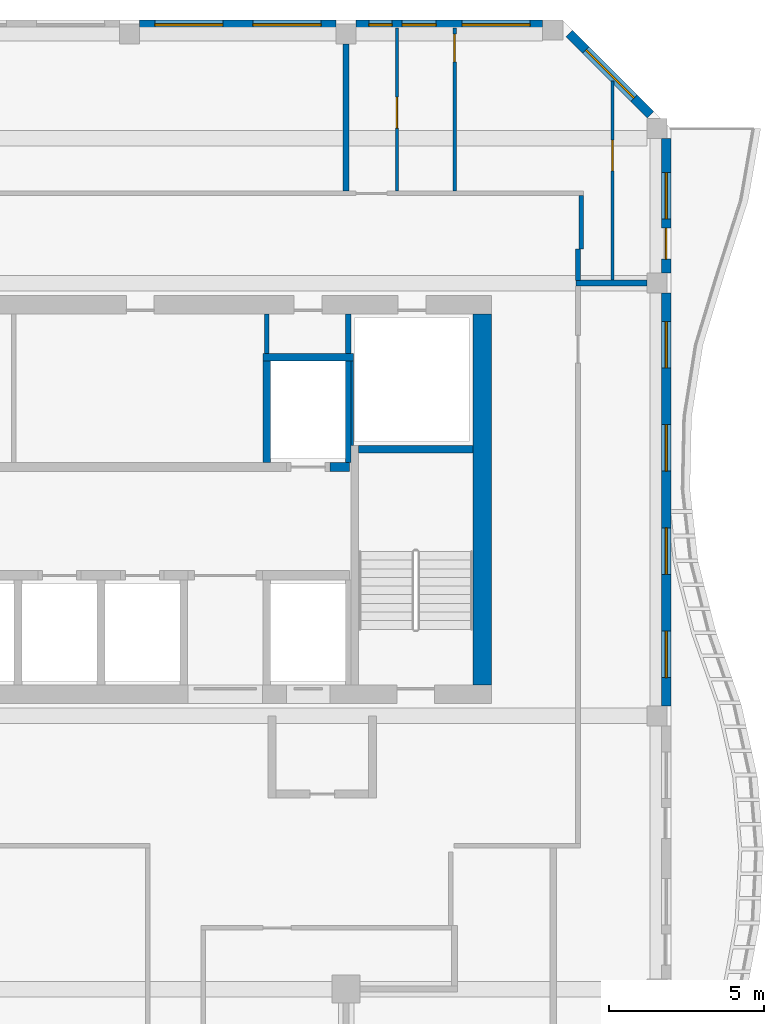
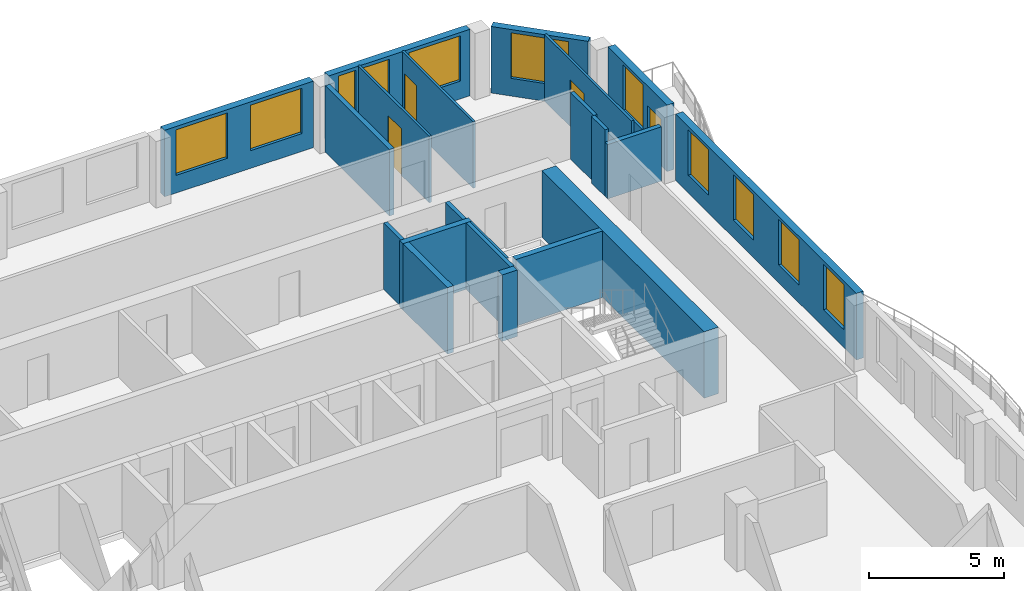
# One storey, part 8 of 13: 21 walls, 11 windows, 4 doors, 15 openings.
"""IFC4 building model written with IfcOpenShell, lengths in metres."""

from ifc_helpers import new_model, si_unit, direction, frame, frame_2d, origin, place, context, subcontext, project, spatial, rectangle, extrude, source, transform, mapped, material, layer, layer_set, type_object, element, fill, save


model = new_model("IFC4")

# Units and contexts
model_context = context("Model", 3, precision=1e-05, world=origin(), true_north=direction((0.0, 1.0)))
body_context = subcontext(model_context, "Body", "Model", "MODEL_VIEW")
ifc_project = project(units=[si_unit("LENGTHUNIT", "METRE"), si_unit("AREAUNIT", "SQUARE_METRE"), si_unit("VOLUMEUNIT", "CUBIC_METRE"), si_unit("PLANEANGLEUNIT", "RADIAN"), si_unit("MASSUNIT", "GRAM", prefix="KILO")], contexts=[model_context])

# Site, building, storey
site_placement = place(None, origin())
site = spatial("IfcSite", under=ifc_project, at=site_placement, CompositionType="ELEMENT")
building_placement = place(site_placement, origin())
building = spatial("IfcBuilding", under=site, at=building_placement, Name="Kilnfold Tower and Market Hall", CompositionType="ELEMENT")
storey_placement = place(building_placement, frame((0.0, 0.0, 287.39990234375)))
storey = spatial("IfcBuildingStorey", under=building, at=storey_placement, Name="L71", CompositionType="ELEMENT", Elevation=287.39990234375)

# Walls
ifc_material_1 = material(Name="Gypsum board on steel studs", Category="steel")
ifc_layer_1 = layer(ifc_material_1, 0.14990234375)
ifc_layer_set_1 = layer_set([ifc_layer_1], Name="Gypsum board on steel studs")
wall_type_1 = type_object("IfcWallType", Name="WALL CORRIDOR 150", PredefinedType="PARTITIONING", material=ifc_layer_set_1)
wall_1_placement = place(storey_placement, frame((20.60009765625, 23.10009765625, 0.0), z_axis=(0.0, 0.0, 1.0), x_axis=(0.0, 1.0, 0.0)))
element("IfcWall", 1, at=wall_1_placement, inside=storey, type_object=wall_type_1, Name="Partition LY43.18", PredefinedType="PARTITIONING", context=body_context, shape_type="SweptSolid", body=[
    extrude(rectangle(XDim=1.724853515625, YDim=0.14990234375, at=frame_2d((0.8623046875, 0.0))), origin(), (0.0, 0.0, 1.0), 3.0),
])
wall_2_placement = place(storey_placement, frame((20.5, 22.090087890625, 0.0), z_axis=(0.0, 0.0, 1.0), x_axis=(0.0, 1.0, 0.0)))
element("IfcWall", 2, at=wall_2_placement, inside=storey, type_object=wall_type_1, Name="Partition LY43.19", PredefinedType="PARTITIONING", context=body_context, shape_type="SweptSolid", body=[
    extrude(rectangle(XDim=1.010009765625, YDim=0.14990234375, at=frame_2d((0.5048828125, 0.0))), origin(), (0.0, 0.0, 1.0), 3.0),
])

# Wall, opening, door
ifc_material_2 = material(Name="Gypsum board on steel studs", Category="steel")
ifc_layer_2 = layer(ifc_material_2, 0.10009765625)
ifc_layer_set_2 = layer_set([ifc_layer_2], Name="Gypsum board on steel studs")
wall_type_2 = type_object("IfcWallType", Name="WALL PARTITION 100", PredefinedType="PARTITIONING", material=ifc_layer_set_2)
wall_3_placement = place(storey_placement, frame((14.639892578125, 24.97705078125, 0.0), z_axis=(0.0, 0.0, 1.0), x_axis=(0.0, 1.0, 0.0)))
wall_3 = element("IfcWall", 3, at=wall_3_placement, inside=storey, type_object=wall_type_2, Name="Partition LY43.63", PredefinedType="PARTITIONING", context=body_context, shape_type="SweptSolid", body=[
    extrude(rectangle(XDim=5.27294921875, YDim=0.10009765625, at=frame_2d((2.636474609375, 0.0))), origin(), (0.0, 0.0, 1.0), 3.0),
])
opening_1_placement = place(wall_3_placement, frame((2.034912109375, 0.0, 0.0)))
opening_1 = element("IfcOpeningElement", 4, at=opening_1_placement, cuts=wall_3, Name="Opening D1", PredefinedType="OPENING", context=body_context, shape_type="SweptSolid", body=[
    extrude(rectangle(XDim=1.0, YDim=2.10009765625, at=frame_2d((0.5, 1.050048828125))), frame((0.0, 0.06005859375, 0.0), z_axis=(0.0, -1.0, 0.0), x_axis=(1.0, 0.0, 0.0)), (0.0, 0.0, 1.0), 0.1201171875),
])
ifc_material_3 = material(Name="Timber veneer door leaf in steel frame", Category="steel")
door_type_1 = type_object("IfcDoorType", Name="DOOR ENTRY 1000 X2100", OperationType="NOTDEFINED", PredefinedType="DOOR", material=ifc_material_3)
door_1_placement = place(opening_1_placement, origin())
door_1 = element("IfcDoor", 5, at=door_1_placement, inside=storey, type_object=door_type_1, Name="Door D1", OperationType="SINGLE_SWING_LEFT", OverallHeight=2.10009765625, OverallWidth=1.0, PredefinedType="DOOR", context=body_context, shape_type="SweptSolid", body=[
    extrude(rectangle(XDim=1.0, YDim=2.10009765625, at=frame_2d((0.5, 1.050048828125))), frame((0.0, 0.02490234375, 0.0), z_axis=(0.0, -1.0, 0.0), x_axis=(1.0, 0.0, 0.0)), (0.0, 0.0, 1.0), 0.050048828125),
])
fill(opening_1, door_1)

wall_4_placement = place(storey_placement, frame((16.510986328125, 24.97705078125, 0.0), z_axis=(0.0, 0.0, 1.0), x_axis=(0.0, 1.0, 0.0)))
wall_4 = element("IfcWall", 6, at=wall_4_placement, inside=storey, type_object=wall_type_2, Name="Partition LY43.65", PredefinedType="PARTITIONING", context=body_context, shape_type="SweptSolid", body=[
    extrude(rectangle(XDim=5.27294921875, YDim=0.10009765625, at=frame_2d((2.636474609375, 0.0))), origin(), (0.0, 0.0, 1.0), 3.0),
])
opening_2_placement = place(wall_4_placement, frame((4.173095703125, 0.0, 0.0)))
opening_2 = element("IfcOpeningElement", 7, at=opening_2_placement, cuts=wall_4, Name="Opening D2", PredefinedType="OPENING", context=body_context, shape_type="SweptSolid", body=[
    extrude(rectangle(XDim=0.89990234375, YDim=2.10009765625, at=frame_2d((0.449951171875, 1.050048828125))), frame((0.0, 0.06005859375, 0.0), z_axis=(0.0, -1.0, 0.0), x_axis=(1.0, 0.0, 0.0)), (0.0, 0.0, 1.0), 0.1201171875),
])
ifc_material_4 = material(Name="Timber veneer door leaf in steel frame", Category="steel")
door_type_2 = type_object("IfcDoorType", Name="DOOR ROOM 900 X2100", OperationType="NOTDEFINED", PredefinedType="DOOR", material=ifc_material_4)
door_2_placement = place(opening_2_placement, origin())
door_2 = element("IfcDoor", 8, at=door_2_placement, inside=storey, type_object=door_type_2, Name="Door D2", OperationType="SINGLE_SWING_RIGHT", OverallHeight=2.10009765625, OverallWidth=0.89990234375, PredefinedType="DOOR", context=body_context, shape_type="SweptSolid", body=[
    extrude(rectangle(XDim=0.89990234375, YDim=2.10009765625, at=frame_2d((0.449951171875, 1.050048828125))), frame((0.0, 0.02490234375, 0.0), z_axis=(0.0, -1.0, 0.0), x_axis=(1.0, 0.0, 0.0)), (0.0, 0.0, 1.0), 0.050048828125),
])
fill(opening_2, door_2)

wall_5_placement = place(storey_placement, frame((21.610107421875, 22.10009765625, 0.0), z_axis=(0.0, 0.0, 1.0), x_axis=(0.0, 1.0, 0.0)))
wall_5 = element("IfcWall", 9, at=wall_5_placement, inside=storey, type_object=wall_type_2, Name="Partition LY43.66", PredefinedType="PARTITIONING", context=body_context, shape_type="SweptSolid", body=[
    extrude(rectangle(XDim=6.435791015625, YDim=0.10009765625, at=frame_2d((3.2177734375, 0.0))), origin(), (0.0, 0.0, 1.0), 3.0),
])
opening_3_placement = place(wall_5_placement, frame((3.52392578125, 0.0, 0.0)))
opening_3 = element("IfcOpeningElement", 10, at=opening_3_placement, cuts=wall_5, Name="Opening D1", PredefinedType="OPENING", context=body_context, shape_type="SweptSolid", body=[
    extrude(rectangle(XDim=1.0, YDim=2.10009765625, at=frame_2d((0.5, 1.050048828125))), frame((0.0, 0.06005859375, 0.0), z_axis=(0.0, -1.0, 0.0), x_axis=(1.0, 0.0, 0.0)), (0.0, 0.0, 1.0), 0.1201171875),
])
door_3_placement = place(opening_3_placement, origin())
door_3 = element("IfcDoor", 11, at=door_3_placement, inside=storey, type_object=door_type_1, Name="Door D1", OperationType="SINGLE_SWING_RIGHT", OverallHeight=2.10009765625, OverallWidth=1.0, PredefinedType="DOOR", context=body_context, shape_type="SweptSolid", body=[
    extrude(rectangle(XDim=1.0, YDim=2.10009765625, at=frame_2d((0.5, 1.050048828125))), frame((0.0, 0.02490234375, 0.0), z_axis=(0.0, -1.0, 0.0), x_axis=(1.0, 0.0, 0.0)), (0.0, 0.0, 1.0), 0.050048828125),
])
fill(opening_3, door_3)

# Walls
ifc_material_5 = material(Name="Gypsum board on steel studs", Category="steel")
ifc_layer_3 = layer(ifc_material_5, 0.199951171875)
ifc_layer_set_3 = layer_set([ifc_layer_3], Name="Gypsum board on steel studs")
wall_type_3 = type_object("IfcWallType", Name="WALL PARTY 200", PredefinedType="PARTITIONING", material=ifc_layer_set_3)
wall_6_placement = place(storey_placement, frame((20.427001953125, 22.0, 0.0), z_axis=(0.0, 0.0, 1.0), x_axis=(1.0, 0.0, 0.0)))
element("IfcWall", 12, at=wall_6_placement, inside=storey, type_object=wall_type_3, Name="Partition LY43.61", PredefinedType="PARTITIONING", context=body_context, shape_type="SweptSolid", body=[
    extrude(rectangle(XDim=2.298095703125, YDim=0.199951171875, at=frame_2d((1.14892578125, 0.0))), origin(), (0.0, 0.0, 1.0), 2.4501953125),
])
wall_7_placement = place(storey_placement, frame((13.0, 24.97705078125, 0.0), z_axis=(0.0, 0.0, 1.0), x_axis=(0.0, 1.0, 0.0)))
element("IfcWall", 13, at=wall_7_placement, inside=storey, type_object=wall_type_3, Name="Partition LY43.64", PredefinedType="PARTITIONING", context=body_context, shape_type="SweptSolid", body=[
    extrude(rectangle(XDim=4.748046875, YDim=0.199951171875, at=frame_2d((2.3740234375, 0.0))), origin(), (0.0, 0.0, 1.0), 3.0),
])
ifc_material_6 = material(Name="Concrete C50", Category="concrete")
ifc_layer_4 = layer(ifc_material_6, 0.25)
ifc_layer_set_4 = layer_set([ifc_layer_4], Name="Concrete C50")
wall_type_4 = type_object("IfcWallType", Name="CORE WALL 250 C50", PredefinedType="SHEAR", material=ifc_layer_set_4)
shared_shape_1 = source(origin(), body_context, "Body", "SweptSolid", [
    extrude(rectangle(XDim=3.7001953125, YDim=0.25, at=frame_2d((1.85009765625, 0.0))), origin(), (0.0, 0.0, 1.0), 3.0),
])
wall_8_placement = place(storey_placement, frame((13.39990234375, 16.625, 0.0), z_axis=(0.0, 0.0, 1.0), x_axis=(1.0, 0.0, 0.0)))
element("IfcWall", 14, at=wall_8_placement, inside=storey, type_object=wall_type_4, Name="Stair enclosure ST2", PredefinedType="SHEAR", context=body_context, shape_type="MappedRepresentation", body=[
    mapped(shared_shape_1, transform((0.0, 0.0, 0.0))),
])
ifc_material_7 = material(Name="Concrete C50", Category="concrete")
ifc_layer_5 = layer(ifc_material_7, 0.300048828125)
ifc_layer_set_5 = layer_set([ifc_layer_5], Name="Concrete C50")
wall_type_5 = type_object("IfcWallType", Name="CORE WALL 300 C50", PredefinedType="SHEAR", material=ifc_layer_set_5)
shared_shape_2 = source(origin(), body_context, "Body", "SweptSolid", [
    extrude(rectangle(XDim=0.64013671875, YDim=0.300048828125, at=frame_2d((0.320068359375, 0.0))), origin(), (0.0, 0.0, 1.0), 3.0),
])
wall_9_placement = place(storey_placement, frame((12.469970703125, 16.050048828125, 0.0), z_axis=(0.0, 0.0, 1.0), x_axis=(1.0, 0.0, 0.0)))
element("IfcWall", 15, at=wall_9_placement, inside=storey, type_object=wall_type_5, Name="Core spine wall", PredefinedType="SHEAR", context=body_context, shape_type="MappedRepresentation", body=[
    mapped(shared_shape_2, transform((0.0, 0.0, 0.0))),
])
ifc_material_8 = material(Name="Concrete C50", Category="concrete")
ifc_layer_6 = layer(ifc_material_8, 0.60009765625)
ifc_layer_set_6 = layer_set([ifc_layer_6], Name="Concrete C50")
wall_type_6 = type_object("IfcWallType", Name="CORE WALL 600 C50", PredefinedType="SHEAR", material=ifc_layer_set_6)
shared_shape_3 = source(origin(), body_context, "Body", "SweptSolid", [
    extrude(rectangle(XDim=12.0, YDim=0.60009765625, at=frame_2d((6.0, 0.0))), origin(), (0.0, 0.0, 1.0), 3.0),
])
wall_10_placement = place(storey_placement, frame((17.39990234375, 9.0, 0.0), z_axis=(0.0, 0.0, 1.0), x_axis=(0.0, 1.0, 0.0)))
element("IfcWall", 16, at=wall_10_placement, inside=storey, type_object=wall_type_6, Name="Core outer wall east", PredefinedType="SHEAR", context=body_context, shape_type="MappedRepresentation", body=[
    mapped(shared_shape_3, transform((0.0, 0.0, 0.0))),
])

# Wall, openings, windows
ifc_material_9 = material(Name="Precast concrete C50/60", Category="concrete")
ifc_layer_7 = layer(ifc_material_9, 0.300048828125)
ifc_layer_set_7 = layer_set([ifc_layer_7], Name="Precast concrete C50/60")
wall_type_7 = type_object("IfcWallType", Name="PRECAST WALL 300", PredefinedType="SOLIDWALL", material=ifc_layer_set_7)
shared_shape_4 = source(origin(), body_context, "Body", "SweptSolid", [
    extrude(rectangle(XDim=6.35009765625, YDim=0.300048828125, at=frame_2d((3.175048828125, 0.0))), origin(), (0.0, 0.0, 1.0), 3.0),
])
wall_11_placement = place(storey_placement, frame((12.675048828125, 30.35009765625, 0.0), z_axis=(0.0, 0.0, 1.0), x_axis=(-1.0, 0.0, 0.0)))
wall_11 = element("IfcWall", 17, at=wall_11_placement, inside=storey, type_object=wall_type_7, Name="External wall L71 N", PredefinedType="SOLIDWALL", context=body_context, shape_type="MappedRepresentation", body=[
    mapped(shared_shape_4, transform((0.0, 0.0, 0.0))),
])
opening_4_placement = place(wall_11_placement, frame((0.487548828125, 0.0, 0.800048828125)))
opening_4 = element("IfcOpeningElement", 18, at=opening_4_placement, cuts=wall_11, Name="Opening W3", PredefinedType="OPENING", context=body_context, shape_type="SweptSolid", body=[
    extrude(rectangle(XDim=2.199951171875, YDim=2.050048828125, at=frame_2d((1.10009765625, 1.02490234375))), frame((0.0, 0.16015625, 0.0), z_axis=(0.0, -1.0, 0.0), x_axis=(1.0, 0.0, 0.0)), (0.0, 0.0, 1.0), 0.320068359375),
])
opening_5_placement = place(wall_11_placement, frame((3.66259765625, 0.0, 0.800048828125)))
opening_5 = element("IfcOpeningElement", 19, at=opening_5_placement, cuts=wall_11, Name="Opening W3", PredefinedType="OPENING", context=body_context, shape_type="SweptSolid", body=[
    extrude(rectangle(XDim=2.199951171875, YDim=2.050048828125, at=frame_2d((1.10009765625, 1.02490234375))), frame((0.0, 0.16015625, 0.0), z_axis=(0.0, -1.0, 0.0), x_axis=(1.0, 0.0, 0.0)), (0.0, 0.0, 1.0), 0.320068359375),
])
ifc_material_10 = material(Name="Aluminium frame and double glazing", Category="aluminium")
window_type_1 = type_object("IfcWindowType", Name="WINDOW W3 2200X2050", PartitioningType="SINGLE_PANEL", PredefinedType="WINDOW", material=ifc_material_10)
window_1_placement = place(opening_4_placement, origin())
window_1 = element("IfcWindow", 20, at=window_1_placement, inside=storey, type_object=window_type_1, Name="Window W3 L71 N-1", OverallHeight=2.050048828125, OverallWidth=2.199951171875, PartitioningType="SINGLE_PANEL", PredefinedType="WINDOW", context=body_context, shape_type="SweptSolid", body=[
    extrude(rectangle(XDim=2.199951171875, YDim=2.050048828125, at=frame_2d((1.10009765625, 1.02490234375))), frame((0.0, 0.030029296875, 0.0), z_axis=(0.0, -1.0, 0.0), x_axis=(1.0, 0.0, 0.0)), (0.0, 0.0, 1.0), 0.06005859375),
])
fill(opening_4, window_1)
window_2_placement = place(opening_5_placement, origin())
window_2 = element("IfcWindow", 21, at=window_2_placement, inside=storey, type_object=window_type_1, Name="Window W3 L71 N-2", OverallHeight=2.050048828125, OverallWidth=2.199951171875, PartitioningType="SINGLE_PANEL", PredefinedType="WINDOW", context=body_context, shape_type="SweptSolid", body=[
    extrude(rectangle(XDim=2.199951171875, YDim=2.050048828125, at=frame_2d((1.10009765625, 1.02490234375))), frame((0.0, 0.030029296875, 0.0), z_axis=(0.0, -1.0, 0.0), x_axis=(1.0, 0.0, 0.0)), (0.0, 0.0, 1.0), 0.06005859375),
])
fill(opening_5, window_2)

# Wall, opening, window
shared_shape_5 = source(origin(), body_context, "Body", "SweptSolid", [
    extrude(rectangle(XDim=3.71240234375, YDim=0.300048828125, at=frame_2d((1.856201171875, 0.0))), origin(), (0.0, 0.0, 1.0), 3.0),
])
wall_12_placement = place(storey_placement, frame((22.843994140625, 27.44384765625, 0.0), z_axis=(0.0, 0.0, 1.0), x_axis=(-0.707106781187, 0.707106781187, 0.0)))
wall_12 = element("IfcWall", 22, at=wall_12_placement, inside=storey, type_object=wall_type_7, Name="External wall L71 NE", PredefinedType="SOLIDWALL", context=body_context, shape_type="MappedRepresentation", body=[
    mapped(shared_shape_5, transform((0.0, 0.0, 0.0))),
])
opening_6_placement = place(wall_12_placement, frame((0.756103515625, 0.0, 0.800048828125)))
opening_6 = element("IfcOpeningElement", 23, at=opening_6_placement, cuts=wall_12, Name="Opening W3", PredefinedType="OPENING", context=body_context, shape_type="SweptSolid", body=[
    extrude(rectangle(XDim=2.199951171875, YDim=2.050048828125, at=frame_2d((1.10009765625, 1.02490234375))), frame((0.0, 0.16015625, 0.0), z_axis=(0.0, -1.0, 0.0), x_axis=(1.0, 0.0, 0.0)), (0.0, 0.0, 1.0), 0.320068359375),
])
window_3_placement = place(opening_6_placement, origin())
window_3 = element("IfcWindow", 24, at=window_3_placement, inside=storey, type_object=window_type_1, Name="Window W3 L71 NE-1", OverallHeight=2.050048828125, OverallWidth=2.199951171875, PartitioningType="SINGLE_PANEL", PredefinedType="WINDOW", context=body_context, shape_type="SweptSolid", body=[
    extrude(rectangle(XDim=2.199951171875, YDim=2.050048828125, at=frame_2d((1.10009765625, 1.02490234375))), frame((0.0, 0.030029296875, 0.0), z_axis=(0.0, -1.0, 0.0), x_axis=(1.0, 0.0, 0.0)), (0.0, 0.0, 1.0), 0.06005859375),
])
fill(opening_6, window_3)

# Wall, openings, windows
shared_shape_6 = source(origin(), body_context, "Body", "SweptSolid", [
    extrude(rectangle(XDim=13.35009765625, YDim=0.300048828125, at=frame_2d((6.675048828125, 0.0))), origin(), (0.0, 0.0, 1.0), 3.0),
])
wall_13_placement = place(storey_placement, frame((23.35009765625, 8.324951171875, 0.0), z_axis=(0.0, 0.0, 1.0), x_axis=(0.0, 1.0, 0.0)))
wall_13 = element("IfcWall", 25, at=wall_13_placement, inside=storey, type_object=wall_type_7, Name="External wall L71 E", PredefinedType="SOLIDWALL", context=body_context, shape_type="MappedRepresentation", body=[
    mapped(shared_shape_6, transform((0.0, 0.0, 0.0))),
])
opening_7_placement = place(wall_13_placement, frame((0.918701171875, 0.0, 0.800048828125)))
opening_7 = element("IfcOpeningElement", 26, at=opening_7_placement, cuts=wall_13, Name="Opening W5", PredefinedType="OPENING", context=body_context, shape_type="SweptSolid", body=[
    extrude(rectangle(XDim=1.5, YDim=2.050048828125, at=frame_2d((0.75, 1.02490234375))), frame((0.0, 0.16015625, 0.0), z_axis=(0.0, -1.0, 0.0), x_axis=(1.0, 0.0, 0.0)), (0.0, 0.0, 1.0), 0.320068359375),
])
opening_8_placement = place(wall_13_placement, frame((4.25634765625, 0.0, 0.800048828125)))
opening_8 = element("IfcOpeningElement", 27, at=opening_8_placement, cuts=wall_13, Name="Opening W5", PredefinedType="OPENING", context=body_context, shape_type="SweptSolid", body=[
    extrude(rectangle(XDim=1.5, YDim=2.050048828125, at=frame_2d((0.75, 1.02490234375))), frame((0.0, 0.16015625, 0.0), z_axis=(0.0, -1.0, 0.0), x_axis=(1.0, 0.0, 0.0)), (0.0, 0.0, 1.0), 0.320068359375),
])
opening_9_placement = place(wall_13_placement, frame((7.59375, 0.0, 0.800048828125)))
opening_9 = element("IfcOpeningElement", 28, at=opening_9_placement, cuts=wall_13, Name="Opening W5", PredefinedType="OPENING", context=body_context, shape_type="SweptSolid", body=[
    extrude(rectangle(XDim=1.5, YDim=2.050048828125, at=frame_2d((0.75, 1.02490234375))), frame((0.0, 0.16015625, 0.0), z_axis=(0.0, -1.0, 0.0), x_axis=(1.0, 0.0, 0.0)), (0.0, 0.0, 1.0), 0.320068359375),
])
opening_10_placement = place(wall_13_placement, frame((10.93115234375, 0.0, 0.800048828125)))
opening_10 = element("IfcOpeningElement", 29, at=opening_10_placement, cuts=wall_13, Name="Opening W5", PredefinedType="OPENING", context=body_context, shape_type="SweptSolid", body=[
    extrude(rectangle(XDim=1.5, YDim=2.050048828125, at=frame_2d((0.75, 1.02490234375))), frame((0.0, 0.16015625, 0.0), z_axis=(0.0, -1.0, 0.0), x_axis=(1.0, 0.0, 0.0)), (0.0, 0.0, 1.0), 0.320068359375),
])
ifc_material_11 = material(Name="Aluminium frame and double glazing", Category="aluminium")
window_type_2 = type_object("IfcWindowType", Name="WINDOW W5 1500X2050", PartitioningType="SINGLE_PANEL", PredefinedType="WINDOW", material=ifc_material_11)
window_4_placement = place(opening_7_placement, origin())
window_4 = element("IfcWindow", 30, at=window_4_placement, inside=storey, type_object=window_type_2, Name="Window W5 L71 E-1", OverallHeight=2.050048828125, OverallWidth=1.5, PartitioningType="SINGLE_PANEL", PredefinedType="WINDOW", context=body_context, shape_type="SweptSolid", body=[
    extrude(rectangle(XDim=1.5, YDim=2.050048828125, at=frame_2d((0.75, 1.02490234375))), frame((0.0, 0.030029296875, 0.0), z_axis=(0.0, -1.0, 0.0), x_axis=(1.0, 0.0, 0.0)), (0.0, 0.0, 1.0), 0.06005859375),
])
fill(opening_7, window_4)
window_5_placement = place(opening_8_placement, origin())
window_5 = element("IfcWindow", 31, at=window_5_placement, inside=storey, type_object=window_type_2, Name="Window W5 L71 E-2", OverallHeight=2.050048828125, OverallWidth=1.5, PartitioningType="SINGLE_PANEL", PredefinedType="WINDOW", context=body_context, shape_type="SweptSolid", body=[
    extrude(rectangle(XDim=1.5, YDim=2.050048828125, at=frame_2d((0.75, 1.02490234375))), frame((0.0, 0.030029296875, 0.0), z_axis=(0.0, -1.0, 0.0), x_axis=(1.0, 0.0, 0.0)), (0.0, 0.0, 1.0), 0.06005859375),
])
fill(opening_8, window_5)
window_6_placement = place(opening_9_placement, origin())
window_6 = element("IfcWindow", 32, at=window_6_placement, inside=storey, type_object=window_type_2, Name="Window W5 L71 E-3", OverallHeight=2.050048828125, OverallWidth=1.5, PartitioningType="SINGLE_PANEL", PredefinedType="WINDOW", context=body_context, shape_type="SweptSolid", body=[
    extrude(rectangle(XDim=1.5, YDim=2.050048828125, at=frame_2d((0.75, 1.02490234375))), frame((0.0, 0.030029296875, 0.0), z_axis=(0.0, -1.0, 0.0), x_axis=(1.0, 0.0, 0.0)), (0.0, 0.0, 1.0), 0.06005859375),
])
fill(opening_9, window_6)
window_7_placement = place(opening_10_placement, origin())
window_7 = element("IfcWindow", 33, at=window_7_placement, inside=storey, type_object=window_type_2, Name="Window W5 L71 E-4", OverallHeight=2.050048828125, OverallWidth=1.5, PartitioningType="SINGLE_PANEL", PredefinedType="WINDOW", context=body_context, shape_type="SweptSolid", body=[
    extrude(rectangle(XDim=1.5, YDim=2.050048828125, at=frame_2d((0.75, 1.02490234375))), frame((0.0, 0.030029296875, 0.0), z_axis=(0.0, -1.0, 0.0), x_axis=(1.0, 0.0, 0.0)), (0.0, 0.0, 1.0), 0.06005859375),
])
fill(opening_10, window_7)

# Wall, openings, door, window
shared_shape_7 = source(origin(), body_context, "Body", "SweptSolid", [
    extrude(rectangle(XDim=4.35009765625, YDim=0.300048828125, at=frame_2d((2.175048828125, 0.0))), origin(), (0.0, 0.0, 1.0), 3.0),
])
wall_14_placement = place(storey_placement, frame((23.35009765625, 22.324951171875, 0.0), z_axis=(0.0, 0.0, 1.0), x_axis=(0.0, 1.0, 0.0)))
wall_14 = element("IfcWall", 34, at=wall_14_placement, inside=storey, type_object=wall_type_7, Name="External wall L71 E", PredefinedType="SOLIDWALL", context=body_context, shape_type="MappedRepresentation", body=[
    mapped(shared_shape_7, transform((0.0, 0.0, 0.0))),
])
opening_11_placement = place(wall_14_placement, frame((1.75, 0.0, 0.800048828125)))
opening_11 = element("IfcOpeningElement", 35, at=opening_11_placement, cuts=wall_14, Name="Opening W5", PredefinedType="OPENING", context=body_context, shape_type="SweptSolid", body=[
    extrude(rectangle(XDim=1.5, YDim=2.050048828125, at=frame_2d((0.75, 1.02490234375))), frame((0.0, 0.16015625, 0.0), z_axis=(0.0, -1.0, 0.0), x_axis=(1.0, 0.0, 0.0)), (0.0, 0.0, 1.0), 0.320068359375),
])
opening_12_placement = place(wall_14_placement, frame((0.449951171875, 0.0, 0.0)))
opening_12 = element("IfcOpeningElement", 36, at=opening_12_placement, cuts=wall_14, Name="Opening BD1", PredefinedType="OPENING", context=body_context, shape_type="SweptSolid", body=[
    extrude(rectangle(XDim=1.0, YDim=2.10009765625, at=frame_2d((0.5, 1.050048828125))), frame((0.0, 0.16015625, 0.0), z_axis=(0.0, -1.0, 0.0), x_axis=(1.0, 0.0, 0.0)), (0.0, 0.0, 1.0), 0.320068359375),
])
ifc_material_12 = material(Name="Aluminium frame and double glazing", Category="aluminium")
door_type_3 = type_object("IfcDoorType", Name="BALCONY DOOR 1000X2100", OperationType="NOTDEFINED", PredefinedType="DOOR", material=ifc_material_12)
door_4_placement = place(opening_12_placement, origin())
door_4 = element("IfcDoor", 37, at=door_4_placement, inside=storey, type_object=door_type_3, Name="Balcony door BD1 L71 E-1", OperationType="SINGLE_SWING_LEFT", OverallHeight=2.10009765625, OverallWidth=1.0, PredefinedType="DOOR", context=body_context, shape_type="SweptSolid", body=[
    extrude(rectangle(XDim=1.0, YDim=2.10009765625, at=frame_2d((0.5, 1.050048828125))), frame((0.0, 0.02490234375, 0.0), z_axis=(0.0, -1.0, 0.0), x_axis=(1.0, 0.0, 0.0)), (0.0, 0.0, 1.0), 0.050048828125),
])
fill(opening_12, door_4)
window_8_placement = place(opening_11_placement, origin())
window_8 = element("IfcWindow", 38, at=window_8_placement, inside=storey, type_object=window_type_2, Name="Window W5 L71 E-1", OverallHeight=2.050048828125, OverallWidth=1.5, PartitioningType="SINGLE_PANEL", PredefinedType="WINDOW", context=body_context, shape_type="SweptSolid", body=[
    extrude(rectangle(XDim=1.5, YDim=2.050048828125, at=frame_2d((0.75, 1.02490234375))), frame((0.0, 0.030029296875, 0.0), z_axis=(0.0, -1.0, 0.0), x_axis=(1.0, 0.0, 0.0)), (0.0, 0.0, 1.0), 0.06005859375),
])
fill(opening_11, window_8)

# Wall, openings, windows
shared_shape_8 = source(origin(), body_context, "Body", "SweptSolid", [
    extrude(rectangle(XDim=6.03173828125, YDim=0.300048828125, at=frame_2d((3.015869140625, 0.0))), origin(), (0.0, 0.0, 1.0), 3.0),
])
wall_15_placement = place(storey_placement, frame((19.356689453125, 30.35009765625, 0.0), z_axis=(0.0, 0.0, 1.0), x_axis=(-1.0, 0.0, 0.0)))
wall_15 = element("IfcWall", 39, at=wall_15_placement, inside=storey, type_object=wall_type_7, Name="External wall L71 N", PredefinedType="SOLIDWALL", context=body_context, shape_type="MappedRepresentation", body=[
    mapped(shared_shape_8, transform((0.0, 0.0, 0.0))),
])
opening_13_placement = place(wall_15_placement, frame((0.407958984375, 0.0, 0.800048828125)))
opening_13 = element("IfcOpeningElement", 40, at=opening_13_placement, cuts=wall_15, Name="Opening W3", PredefinedType="OPENING", context=body_context, shape_type="SweptSolid", body=[
    extrude(rectangle(XDim=2.199951171875, YDim=2.050048828125, at=frame_2d((1.10009765625, 1.02490234375))), frame((0.0, 0.16015625, 0.0), z_axis=(0.0, -1.0, 0.0), x_axis=(1.0, 0.0, 0.0)), (0.0, 0.0, 1.0), 0.320068359375),
])
opening_14_placement = place(wall_15_placement, frame((3.4453125, 0.0, 0.800048828125)))
opening_14 = element("IfcOpeningElement", 41, at=opening_14_placement, cuts=wall_15, Name="Opening W3-G", PredefinedType="OPENING", context=body_context, shape_type="SweptSolid", body=[
    extrude(rectangle(XDim=1.10009765625, YDim=2.050048828125, at=frame_2d((0.550048828125, 1.02490234375))), frame((0.0, 0.16015625, 0.0), z_axis=(0.0, -1.0, 0.0), x_axis=(1.0, 0.0, 0.0)), (0.0, 0.0, 1.0), 0.320068359375),
])
opening_15_placement = place(wall_15_placement, frame((4.870361328125, 0.0, 0.800048828125)))
opening_15 = element("IfcOpeningElement", 42, at=opening_15_placement, cuts=wall_15, Name="Opening W3-H", PredefinedType="OPENING", context=body_context, shape_type="SweptSolid", body=[
    extrude(rectangle(XDim=0.75, YDim=2.050048828125, at=frame_2d((0.375, 1.02490234375))), frame((0.0, 0.16015625, 0.0), z_axis=(0.0, -1.0, 0.0), x_axis=(1.0, 0.0, 0.0)), (0.0, 0.0, 1.0), 0.320068359375),
])
window_9_placement = place(opening_13_placement, origin())
window_9 = element("IfcWindow", 43, at=window_9_placement, inside=storey, type_object=window_type_1, Name="Window W3 L71 N-1", OverallHeight=2.050048828125, OverallWidth=2.199951171875, PartitioningType="SINGLE_PANEL", PredefinedType="WINDOW", context=body_context, shape_type="SweptSolid", body=[
    extrude(rectangle(XDim=2.199951171875, YDim=2.050048828125, at=frame_2d((1.10009765625, 1.02490234375))), frame((0.0, 0.030029296875, 0.0), z_axis=(0.0, -1.0, 0.0), x_axis=(1.0, 0.0, 0.0)), (0.0, 0.0, 1.0), 0.06005859375),
])
fill(opening_13, window_9)
ifc_material_13 = material(Name="Aluminium frame and double glazing", Category="aluminium")
window_type_3 = type_object("IfcWindowType", Name="WINDOW W3-G 1100X2050", PartitioningType="SINGLE_PANEL", PredefinedType="WINDOW", material=ifc_material_13)
window_10_placement = place(opening_14_placement, origin())
window_10 = element("IfcWindow", 44, at=window_10_placement, inside=storey, type_object=window_type_3, Name="Window W3-G L71 N-2", OverallHeight=2.050048828125, OverallWidth=1.10009765625, PartitioningType="SINGLE_PANEL", PredefinedType="WINDOW", context=body_context, shape_type="SweptSolid", body=[
    extrude(rectangle(XDim=1.10009765625, YDim=2.050048828125, at=frame_2d((0.550048828125, 1.02490234375))), frame((0.0, 0.030029296875, 0.0), z_axis=(0.0, -1.0, 0.0), x_axis=(1.0, 0.0, 0.0)), (0.0, 0.0, 1.0), 0.06005859375),
])
fill(opening_14, window_10)
ifc_material_14 = material(Name="Aluminium frame and double glazing", Category="aluminium")
window_type_4 = type_object("IfcWindowType", Name="WINDOW W3-H 750X2050", PartitioningType="SINGLE_PANEL", PredefinedType="WINDOW", material=ifc_material_14)
window_11_placement = place(opening_15_placement, origin())
window_11 = element("IfcWindow", 45, at=window_11_placement, inside=storey, type_object=window_type_4, Name="Window W3-G L71 N-2", OverallHeight=2.050048828125, OverallWidth=0.75, PartitioningType="SINGLE_PANEL", PredefinedType="WINDOW", context=body_context, shape_type="SweptSolid", body=[
    extrude(rectangle(XDim=0.75, YDim=2.050048828125, at=frame_2d((0.375, 1.02490234375))), frame((0.0, 0.030029296875, 0.0), z_axis=(0.0, -1.0, 0.0), x_axis=(1.0, 0.0, 0.0)), (0.0, 0.0, 1.0), 0.06005859375),
])
fill(opening_15, window_11)

# Walls
ifc_material_15 = material(Name="Gypsum shaft wall system")
ifc_layer_8 = layer(ifc_material_15, 0.1650390625)
ifc_layer_set_8 = layer_set([ifc_layer_8], Name="Gypsum shaft wall system")
wall_type_8 = type_object("IfcWallType", Name="SHAFT WALL 165", PredefinedType="PARTITIONING", material=ifc_layer_set_8)
shared_shape_9 = source(origin(), body_context, "Body", "SweptSolid", [
    extrude(rectangle(XDim=3.275146484375, YDim=0.1650390625, at=frame_2d((1.6376953125, 0.0))), origin(), (0.0, 0.0, 1.0), 3.0),
])
wall_16_placement = place(storey_placement, frame((13.0673828125, 16.199951171875, 0.0), z_axis=(0.0, 0.0, 1.0), x_axis=(0.0, 1.0, 0.0)))
element("IfcWall", 46, at=wall_16_placement, inside=storey, type_object=wall_type_8, Name="Lift shaft wall", PredefinedType="PARTITIONING", context=body_context, shape_type="MappedRepresentation", body=[
    mapped(shared_shape_9, transform((0.0, 0.0, 0.0))),
])
shared_shape_10 = source(origin(), body_context, "Body", "SweptSolid", [
    extrude(rectangle(XDim=1.27490234375, YDim=0.1650390625, at=frame_2d((0.637451171875, 0.0))), origin(), (0.0, 0.0, 1.0), 3.0),
])
wall_17_placement = place(storey_placement, frame((13.0673828125, 19.72509765625, 0.0), z_axis=(0.0, 0.0, 1.0), x_axis=(0.0, 1.0, 0.0)))
element("IfcWall", 47, at=wall_17_placement, inside=storey, type_object=wall_type_8, Name="Lift shaft wall", PredefinedType="PARTITIONING", context=body_context, shape_type="MappedRepresentation", body=[
    mapped(shared_shape_10, transform((0.0, 0.0, 0.0))),
])
ifc_material_16 = material(Name="Gypsum shaft wall system")
ifc_layer_9 = layer(ifc_material_16, 0.25)
ifc_layer_set_9 = layer_set([ifc_layer_9], Name="Gypsum shaft wall system")
wall_type_9 = type_object("IfcWallType", Name="SHAFT WALL 250", PredefinedType="PARTITIONING", material=ifc_layer_set_9)
shared_shape_11 = source(origin(), body_context, "Body", "SweptSolid", [
    extrude(rectangle(XDim=3.275146484375, YDim=0.25, at=frame_2d((1.6376953125, 0.0))), origin(), (0.0, 0.0, 1.0), 3.0),
])
wall_18_placement = place(storey_placement, frame((10.429931640625, 16.199951171875, 0.0), z_axis=(0.0, 0.0, 1.0), x_axis=(0.0, 1.0, 0.0)))
element("IfcWall", 48, at=wall_18_placement, inside=storey, type_object=wall_type_9, Name="Lift shaft wall", PredefinedType="PARTITIONING", context=body_context, shape_type="MappedRepresentation", body=[
    mapped(shared_shape_11, transform((0.0, 0.0, 0.0))),
])
ifc_material_17 = material(Name="Gypsum shaft wall system")
ifc_layer_10 = layer(ifc_material_17, 0.0849609375)
ifc_layer_set_10 = layer_set([ifc_layer_10], Name="Gypsum shaft wall system")
wall_type_10 = type_object("IfcWallType", Name="SHAFT WALL 85", PredefinedType="PARTITIONING", material=ifc_layer_set_10)
shared_shape_12 = source(origin(), body_context, "Body", "SweptSolid", [
    extrude(rectangle(XDim=2.72509765625, YDim=0.0849609375, at=frame_2d((1.362548828125, 0.0))), origin(), (0.0, 0.0, 1.0), 3.0),
])
wall_19_placement = place(storey_placement, frame((13.1923828125, 16.75, 0.0), z_axis=(0.0, 0.0, 1.0), x_axis=(0.0, 1.0, 0.0)))
element("IfcWall", 49, at=wall_19_placement, inside=storey, type_object=wall_type_10, Name="Lift shaft wall", PredefinedType="PARTITIONING", context=body_context, shape_type="MappedRepresentation", body=[
    mapped(shared_shape_12, transform((0.0, 0.0, 0.0))),
])
ifc_material_18 = material(Name="Gypsum shaft wall system")
ifc_layer_11 = layer(ifc_material_18, 0.14990234375)
ifc_layer_set_11 = layer_set([ifc_layer_11], Name="Gypsum shaft wall system")
wall_type_11 = type_object("IfcWallType", Name="ROOM WALL 150", PredefinedType="PARTITIONING", material=ifc_layer_set_11)
shared_shape_13 = source(origin(), body_context, "Body", "SweptSolid", [
    extrude(rectangle(XDim=1.27490234375, YDim=0.14990234375, at=frame_2d((0.637451171875, 0.0))), origin(), (0.0, 0.0, 1.0), 3.0),
])
wall_20_placement = place(storey_placement, frame((10.429931640625, 19.72509765625, 0.0), z_axis=(0.0, 0.0, 1.0), x_axis=(0.0, 1.0, 0.0)))
element("IfcWall", 50, at=wall_20_placement, inside=storey, type_object=wall_type_11, Name="Core room wall", PredefinedType="PARTITIONING", context=body_context, shape_type="MappedRepresentation", body=[
    mapped(shared_shape_13, transform((0.0, 0.0, 0.0))),
])
shared_shape_14 = source(origin(), body_context, "Body", "SweptSolid", [
    extrude(rectangle(XDim=2.93017578125, YDim=0.25, at=frame_2d((1.465087890625, 0.0))), origin(), (0.0, 0.0, 1.0), 3.0),
])
wall_21_placement = place(storey_placement, frame((10.304931640625, 19.60009765625, 0.0), z_axis=(0.0, 0.0, 1.0), x_axis=(1.0, 0.0, 0.0)))
element("IfcWall", 51, at=wall_21_placement, inside=storey, type_object=wall_type_9, Name="Lift shaft wall", PredefinedType="PARTITIONING", context=body_context, shape_type="MappedRepresentation", body=[
    mapped(shared_shape_14, transform((0.0, 0.0, 0.0))),
])

save(model, "model.ifc")
